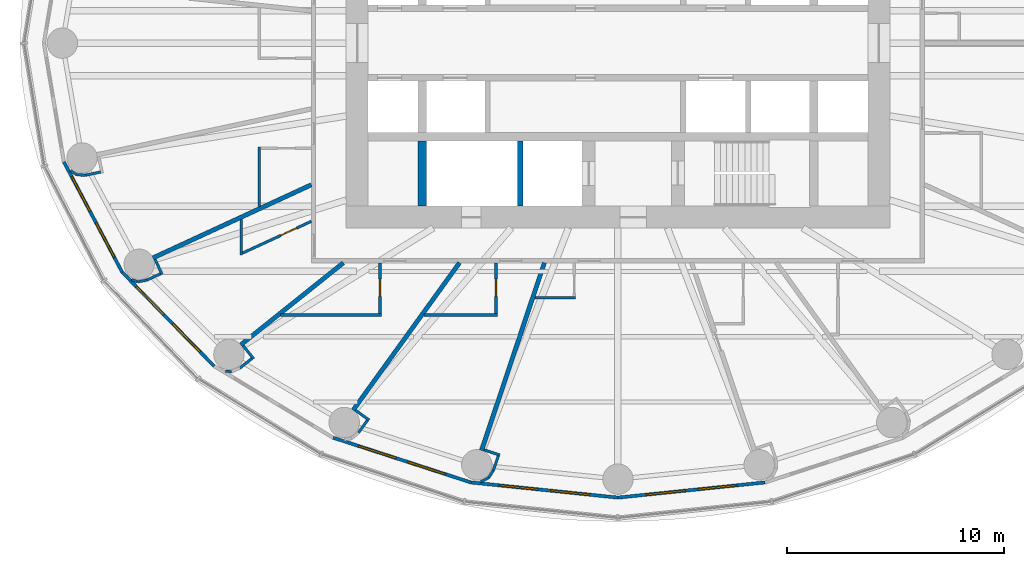
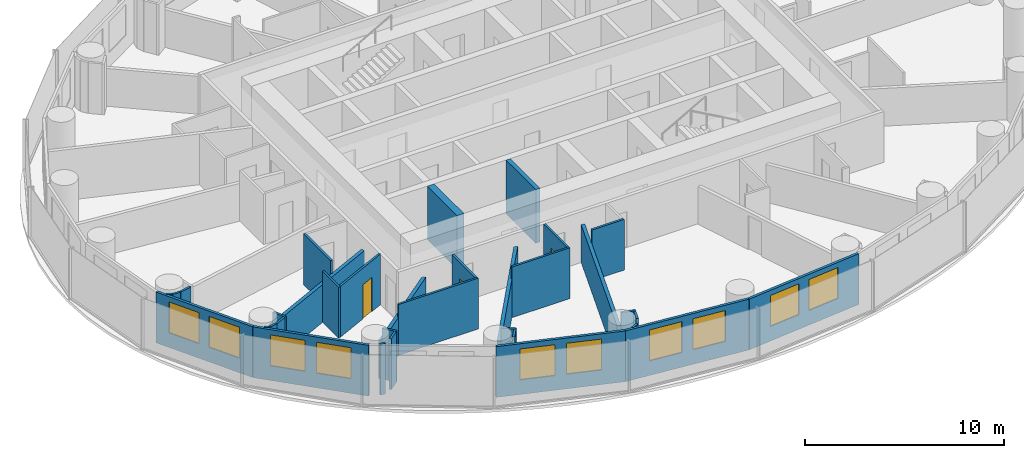
# One storey, part 6 of 13: 35 walls, 10 windows, 3 doors, 13 openings.
"""IFC4 building model written with IfcOpenShell, lengths in metres."""

from ifc_helpers import new_model, si_unit, direction, frame, frame_2d, origin, place, context, subcontext, project, spatial, rectangle, extrude, material, layer, layer_set, type_object, element, fill, save


model = new_model("IFC4")

# Units and contexts
model_context = context("Model", 3, precision=1e-05, world=origin(), true_north=direction((0.0, 1.0)))
body_context = subcontext(model_context, "Body", "Model", "MODEL_VIEW")
ifc_project = project(units=[si_unit("LENGTHUNIT", "METRE"), si_unit("AREAUNIT", "SQUARE_METRE"), si_unit("VOLUMEUNIT", "CUBIC_METRE"), si_unit("PLANEANGLEUNIT", "RADIAN"), si_unit("MASSUNIT", "GRAM", prefix="KILO")], contexts=[model_context])

# Site, building, storey
site_placement = place(None, origin())
site = spatial("IfcSite", under=ifc_project, at=site_placement, CompositionType="ELEMENT")
building_placement = place(site_placement, origin())
building = spatial("IfcBuilding", under=site, at=building_placement, Name="Hankou Lantern Tower", CompositionType="ELEMENT")
storey_placement = place(building_placement, frame((0.0, 0.0, 83.699951171875)))
storey = spatial("IfcBuildingStorey", under=building, at=storey_placement, Name="L21", CompositionType="ELEMENT", Elevation=83.699951171875)

# Wall
ifc_material_1 = material(Name="Concrete C60", Category="concrete")
ifc_layer_1 = layer(ifc_material_1, 0.39990234375)
ifc_layer_set_1 = layer_set([ifc_layer_1], Name="Concrete C60")
wall_type_1 = type_object("IfcWallType", Name="CW4 CORE CROSS WALL 400", PredefinedType="SHEAR", material=ifc_layer_set_1)
wall_1_placement = place(storey_placement, frame((-9.0, -7.5, 0.0), z_axis=(0.0, 0.0, 1.0), x_axis=(0.0, 1.0, 0.0)))
element("IfcWall", 1, at=wall_1_placement, inside=storey, type_object=wall_type_1, Name="Core strip wall L21", PredefinedType="SHEAR", context=body_context, shape_type="SweptSolid", body=[
    extrude(rectangle(XDim=3.0, YDim=0.39990234375, at=frame_2d((1.5, 0.0))), origin(), (0.0, 0.0, 1.0), 3.300048828125),
])

# Wall, openings, windows
ifc_material_2 = material(Name="Aluminium spandrel panel on steel studs", Category="steel")
ifc_layer_2 = layer(ifc_material_2, 0.14990234375)
ifc_layer_set_2 = layer_set([ifc_layer_2], Name="Aluminium spandrel panel on steel studs")
wall_type_2 = type_object("IfcWallType", Name="EW1 INNER SKIN WALL 150", PredefinedType="ELEMENTEDWALL", material=ifc_layer_set_2)
wall_2_placement = place(storey_placement, frame((-25.482421875, -5.46240234375, 0.0), z_axis=(0.0, 0.0, 1.0), x_axis=(0.467296867008, -0.884100468321, 0.0)))
wall_2 = element("IfcWall", 2, at=wall_2_placement, inside=storey, type_object=wall_type_2, Name="Inner skin R14-R15 L21", PredefinedType="ELEMENTEDWALL", context=body_context, shape_type="SweptSolid", body=[
    extrude(rectangle(XDim=5.734375, YDim=0.14990234375, at=frame_2d((2.8671875, 0.0))), origin(), (0.0, 0.0, 1.0), 3.1201171875),
])
opening_1_placement = place(wall_2_placement, frame((0.76708984375, 0.0, 0.89990234375)))
opening_1 = element("IfcOpeningElement", 3, at=opening_1_placement, cuts=wall_2, Name="Opening W1", PredefinedType="OPENING", context=body_context, shape_type="SweptSolid", body=[
    extrude(rectangle(XDim=1.800048828125, YDim=1.89990234375, at=frame_2d((0.89990234375, 0.949951171875))), frame((0.0, 0.0849609375, 0.0), z_axis=(0.0, -1.0, 0.0), x_axis=(1.0, 0.0, 0.0)), (0.0, 0.0, 1.0), 0.169921875),
])
opening_2_placement = place(wall_2_placement, frame((3.167236328125, 0.0, 0.89990234375)))
opening_2 = element("IfcOpeningElement", 4, at=opening_2_placement, cuts=wall_2, Name="Opening W1", PredefinedType="OPENING", context=body_context, shape_type="SweptSolid", body=[
    extrude(rectangle(XDim=1.800048828125, YDim=1.89990234375, at=frame_2d((0.89990234375, 0.949951171875))), frame((0.0, 0.0849609375, 0.0), z_axis=(0.0, -1.0, 0.0), x_axis=(1.0, 0.0, 0.0)), (0.0, 0.0, 1.0), 0.169921875),
])
ifc_material_3 = material(Name="Aluminium framed double glazed window", Category="aluminium")
window_type = type_object("IfcWindowType", Name="W1 GUEST ROOM WINDOW 1800X1900", PartitioningType="DOUBLE_PANEL_VERTICAL", PredefinedType="WINDOW", material=ifc_material_3)
window_1_placement = place(opening_1_placement, origin())
window_1 = element("IfcWindow", 5, at=window_1_placement, inside=storey, type_object=window_type, Name="Window R14.1 L21", OverallHeight=1.89990234375, OverallWidth=1.800048828125, PartitioningType="SINGLE_PANEL", PredefinedType="WINDOW", context=body_context, shape_type="SweptSolid", body=[
    extrude(rectangle(XDim=1.800048828125, YDim=1.89990234375, at=frame_2d((0.89990234375, 0.949951171875))), frame((0.0, 0.030029296875, 0.0), z_axis=(0.0, -1.0, 0.0), x_axis=(1.0, 0.0, 0.0)), (0.0, 0.0, 1.0), 0.06005859375),
])
fill(opening_1, window_1)
window_2_placement = place(opening_2_placement, origin())
window_2 = element("IfcWindow", 6, at=window_2_placement, inside=storey, type_object=window_type, Name="Window R14.2 L21", OverallHeight=1.89990234375, OverallWidth=1.800048828125, PartitioningType="SINGLE_PANEL", PredefinedType="WINDOW", context=body_context, shape_type="SweptSolid", body=[
    extrude(rectangle(XDim=1.800048828125, YDim=1.89990234375, at=frame_2d((0.89990234375, 0.949951171875))), frame((0.0, 0.030029296875, 0.0), z_axis=(0.0, -1.0, 0.0), x_axis=(1.0, 0.0, 0.0)), (0.0, 0.0, 1.0), 0.06005859375),
])
fill(opening_2, window_2)

wall_3_placement = place(storey_placement, frame((-22.802734375, -10.5322265625, 0.0), z_axis=(0.0, 0.0, 1.0), x_axis=(0.699602905915, -0.714531856557, 0.0)))
wall_3 = element("IfcWall", 7, at=wall_3_placement, inside=storey, type_object=wall_type_2, Name="Inner skin R15-R16 L21", PredefinedType="ELEMENTEDWALL", context=body_context, shape_type="SweptSolid", body=[
    extrude(rectangle(XDim=6.05078125, YDim=0.14990234375, at=frame_2d((3.025390625, 0.0))), origin(), (0.0, 0.0, 1.0), 3.1201171875),
])
opening_3_placement = place(wall_3_placement, frame((0.925537109375, 0.0, 0.89990234375)))
opening_3 = element("IfcOpeningElement", 8, at=opening_3_placement, cuts=wall_3, Name="Opening W1", PredefinedType="OPENING", context=body_context, shape_type="SweptSolid", body=[
    extrude(rectangle(XDim=1.800048828125, YDim=1.89990234375, at=frame_2d((0.89990234375, 0.949951171875))), frame((0.0, 0.0849609375, 0.0), z_axis=(0.0, -1.0, 0.0), x_axis=(1.0, 0.0, 0.0)), (0.0, 0.0, 1.0), 0.169921875),
])
opening_4_placement = place(wall_3_placement, frame((3.325439453125, 0.0, 0.89990234375)))
opening_4 = element("IfcOpeningElement", 9, at=opening_4_placement, cuts=wall_3, Name="Opening W1", PredefinedType="OPENING", context=body_context, shape_type="SweptSolid", body=[
    extrude(rectangle(XDim=1.800048828125, YDim=1.89990234375, at=frame_2d((0.89990234375, 0.949951171875))), frame((0.0, 0.0849609375, 0.0), z_axis=(0.0, -1.0, 0.0), x_axis=(1.0, 0.0, 0.0)), (0.0, 0.0, 1.0), 0.169921875),
])
window_3_placement = place(opening_3_placement, origin())
window_3 = element("IfcWindow", 10, at=window_3_placement, inside=storey, type_object=window_type, Name="Window R15.1 L21", OverallHeight=1.89990234375, OverallWidth=1.800048828125, PartitioningType="SINGLE_PANEL", PredefinedType="WINDOW", context=body_context, shape_type="SweptSolid", body=[
    extrude(rectangle(XDim=1.800048828125, YDim=1.89990234375, at=frame_2d((0.89990234375, 0.949951171875))), frame((0.0, 0.030029296875, 0.0), z_axis=(0.0, -1.0, 0.0), x_axis=(1.0, 0.0, 0.0)), (0.0, 0.0, 1.0), 0.06005859375),
])
fill(opening_3, window_3)
window_4_placement = place(opening_4_placement, origin())
window_4 = element("IfcWindow", 11, at=window_4_placement, inside=storey, type_object=window_type, Name="Window R15.2 L21", OverallHeight=1.89990234375, OverallWidth=1.800048828125, PartitioningType="SINGLE_PANEL", PredefinedType="WINDOW", context=body_context, shape_type="SweptSolid", body=[
    extrude(rectangle(XDim=1.800048828125, YDim=1.89990234375, at=frame_2d((0.89990234375, 0.949951171875))), frame((0.0, 0.030029296875, 0.0), z_axis=(0.0, -1.0, 0.0), x_axis=(1.0, 0.0, 0.0)), (0.0, 0.0, 1.0), 0.06005859375),
])
fill(opening_4, window_4)

wall_4_placement = place(storey_placement, frame((-13.096435546875, -18.14697265625, 0.0), z_axis=(0.0, 0.0, 1.0), x_axis=(0.951137534625, -0.308767534285, 0.0)))
wall_4 = element("IfcWall", 12, at=wall_4_placement, inside=storey, type_object=wall_type_2, Name="Inner skin R17-R18 L21", PredefinedType="ELEMENTEDWALL", context=body_context, shape_type="SweptSolid", body=[
    extrude(rectangle(XDim=6.6552734375, YDim=0.14990234375, at=frame_2d((3.32763671875, 0.0))), origin(), (0.0, 0.0, 1.0), 3.1201171875),
])
opening_5_placement = place(wall_4_placement, frame((1.2275390625, 0.0, 0.89990234375)))
opening_5 = element("IfcOpeningElement", 13, at=opening_5_placement, cuts=wall_4, Name="Opening W1", PredefinedType="OPENING", context=body_context, shape_type="SweptSolid", body=[
    extrude(rectangle(XDim=1.800048828125, YDim=1.89990234375, at=frame_2d((0.89990234375, 0.949951171875))), frame((0.0, 0.0849609375, 0.0), z_axis=(0.0, -1.0, 0.0), x_axis=(1.0, 0.0, 0.0)), (0.0, 0.0, 1.0), 0.169921875),
])
opening_6_placement = place(wall_4_placement, frame((3.627685546875, 0.0, 0.89990234375)))
opening_6 = element("IfcOpeningElement", 14, at=opening_6_placement, cuts=wall_4, Name="Opening W1", PredefinedType="OPENING", context=body_context, shape_type="SweptSolid", body=[
    extrude(rectangle(XDim=1.800048828125, YDim=1.89990234375, at=frame_2d((0.89990234375, 0.949951171875))), frame((0.0, 0.0849609375, 0.0), z_axis=(0.0, -1.0, 0.0), x_axis=(1.0, 0.0, 0.0)), (0.0, 0.0, 1.0), 0.169921875),
])
window_5_placement = place(opening_5_placement, origin())
window_5 = element("IfcWindow", 15, at=window_5_placement, inside=storey, type_object=window_type, Name="Window R17.1 L21", OverallHeight=1.89990234375, OverallWidth=1.800048828125, PartitioningType="SINGLE_PANEL", PredefinedType="WINDOW", context=body_context, shape_type="SweptSolid", body=[
    extrude(rectangle(XDim=1.800048828125, YDim=1.89990234375, at=frame_2d((0.89990234375, 0.949951171875))), frame((0.0, 0.030029296875, 0.0), z_axis=(0.0, -1.0, 0.0), x_axis=(1.0, 0.0, 0.0)), (0.0, 0.0, 1.0), 0.06005859375),
])
fill(opening_5, window_5)
window_6_placement = place(opening_6_placement, origin())
window_6 = element("IfcWindow", 16, at=window_6_placement, inside=storey, type_object=window_type, Name="Window R17.2 L21", OverallHeight=1.89990234375, OverallWidth=1.800048828125, PartitioningType="SINGLE_PANEL", PredefinedType="WINDOW", context=body_context, shape_type="SweptSolid", body=[
    extrude(rectangle(XDim=1.800048828125, YDim=1.89990234375, at=frame_2d((0.89990234375, 0.949951171875))), frame((0.0, 0.030029296875, 0.0), z_axis=(0.0, -1.0, 0.0), x_axis=(1.0, 0.0, 0.0)), (0.0, 0.0, 1.0), 0.06005859375),
])
fill(opening_6, window_6)

wall_5_placement = place(storey_placement, frame((-6.766357421875, -20.201904296875, 0.0), z_axis=(0.0, 0.0, 1.0), x_axis=(0.994721394369, -0.102612609291, 0.0)))
wall_5 = element("IfcWall", 17, at=wall_5_placement, inside=storey, type_object=wall_type_2, Name="Inner skin R18-R19 L21", PredefinedType="ELEMENTEDWALL", context=body_context, shape_type="SweptSolid", body=[
    extrude(rectangle(XDim=6.80224609375, YDim=0.14990234375, at=frame_2d((3.401123046875, 0.0))), origin(), (0.0, 0.0, 1.0), 3.1201171875),
])
opening_7_placement = place(wall_5_placement, frame((1.301025390625, 0.0, 0.89990234375)))
opening_7 = element("IfcOpeningElement", 18, at=opening_7_placement, cuts=wall_5, Name="Opening W1", PredefinedType="OPENING", context=body_context, shape_type="SweptSolid", body=[
    extrude(rectangle(XDim=1.800048828125, YDim=1.89990234375, at=frame_2d((0.89990234375, 0.949951171875))), frame((0.0, 0.0849609375, 0.0), z_axis=(0.0, -1.0, 0.0), x_axis=(1.0, 0.0, 0.0)), (0.0, 0.0, 1.0), 0.169921875),
])
opening_8_placement = place(wall_5_placement, frame((3.701171875, 0.0, 0.89990234375)))
opening_8 = element("IfcOpeningElement", 19, at=opening_8_placement, cuts=wall_5, Name="Opening W1", PredefinedType="OPENING", context=body_context, shape_type="SweptSolid", body=[
    extrude(rectangle(XDim=1.800048828125, YDim=1.89990234375, at=frame_2d((0.89990234375, 0.949951171875))), frame((0.0, 0.0849609375, 0.0), z_axis=(0.0, -1.0, 0.0), x_axis=(1.0, 0.0, 0.0)), (0.0, 0.0, 1.0), 0.169921875),
])
window_7_placement = place(opening_7_placement, origin())
window_7 = element("IfcWindow", 20, at=window_7_placement, inside=storey, type_object=window_type, Name="Window R18.1 L21", OverallHeight=1.89990234375, OverallWidth=1.800048828125, PartitioningType="SINGLE_PANEL", PredefinedType="WINDOW", context=body_context, shape_type="SweptSolid", body=[
    extrude(rectangle(XDim=1.800048828125, YDim=1.89990234375, at=frame_2d((0.89990234375, 0.949951171875))), frame((0.0, 0.030029296875, 0.0), z_axis=(0.0, -1.0, 0.0), x_axis=(1.0, 0.0, 0.0)), (0.0, 0.0, 1.0), 0.06005859375),
])
fill(opening_7, window_7)
window_8_placement = place(opening_8_placement, origin())
window_8 = element("IfcWindow", 21, at=window_8_placement, inside=storey, type_object=window_type, Name="Window R18.2 L21", OverallHeight=1.89990234375, OverallWidth=1.800048828125, PartitioningType="SINGLE_PANEL", PredefinedType="WINDOW", context=body_context, shape_type="SweptSolid", body=[
    extrude(rectangle(XDim=1.800048828125, YDim=1.89990234375, at=frame_2d((0.89990234375, 0.949951171875))), frame((0.0, 0.030029296875, 0.0), z_axis=(0.0, -1.0, 0.0), x_axis=(1.0, 0.0, 0.0)), (0.0, 0.0, 1.0), 0.06005859375),
])
fill(opening_8, window_8)

wall_6_placement = place(storey_placement, frame((0.0, -20.89990234375, 0.0), z_axis=(0.0, 0.0, 1.0), x_axis=(0.994721394369, 0.102612609291, 0.0)))
wall_6 = element("IfcWall", 22, at=wall_6_placement, inside=storey, type_object=wall_type_2, Name="Inner skin R19-R20 L21", PredefinedType="ELEMENTEDWALL", context=body_context, shape_type="SweptSolid", body=[
    extrude(rectangle(XDim=6.80224609375, YDim=0.14990234375, at=frame_2d((3.401123046875, 0.0))), origin(), (0.0, 0.0, 1.0), 3.1201171875),
])
opening_9_placement = place(wall_6_placement, frame((1.301025390625, 0.0, 0.89990234375)))
opening_9 = element("IfcOpeningElement", 23, at=opening_9_placement, cuts=wall_6, Name="Opening W1", PredefinedType="OPENING", context=body_context, shape_type="SweptSolid", body=[
    extrude(rectangle(XDim=1.800048828125, YDim=1.89990234375, at=frame_2d((0.89990234375, 0.949951171875))), frame((0.0, 0.0849609375, 0.0), z_axis=(0.0, -1.0, 0.0), x_axis=(1.0, 0.0, 0.0)), (0.0, 0.0, 1.0), 0.169921875),
])
opening_10_placement = place(wall_6_placement, frame((3.701171875, 0.0, 0.89990234375)))
opening_10 = element("IfcOpeningElement", 24, at=opening_10_placement, cuts=wall_6, Name="Opening W1", PredefinedType="OPENING", context=body_context, shape_type="SweptSolid", body=[
    extrude(rectangle(XDim=1.800048828125, YDim=1.89990234375, at=frame_2d((0.89990234375, 0.949951171875))), frame((0.0, 0.0849609375, 0.0), z_axis=(0.0, -1.0, 0.0), x_axis=(1.0, 0.0, 0.0)), (0.0, 0.0, 1.0), 0.169921875),
])
window_9_placement = place(opening_9_placement, origin())
window_9 = element("IfcWindow", 25, at=window_9_placement, inside=storey, type_object=window_type, Name="Window R19.1 L21", OverallHeight=1.89990234375, OverallWidth=1.800048828125, PartitioningType="SINGLE_PANEL", PredefinedType="WINDOW", context=body_context, shape_type="SweptSolid", body=[
    extrude(rectangle(XDim=1.800048828125, YDim=1.89990234375, at=frame_2d((0.89990234375, 0.949951171875))), frame((0.0, 0.030029296875, 0.0), z_axis=(0.0, -1.0, 0.0), x_axis=(1.0, 0.0, 0.0)), (0.0, 0.0, 1.0), 0.06005859375),
])
fill(opening_9, window_9)
window_10_placement = place(opening_10_placement, origin())
window_10 = element("IfcWindow", 26, at=window_10_placement, inside=storey, type_object=window_type, Name="Window R19.2 L21", OverallHeight=1.89990234375, OverallWidth=1.800048828125, PartitioningType="SINGLE_PANEL", PredefinedType="WINDOW", context=body_context, shape_type="SweptSolid", body=[
    extrude(rectangle(XDim=1.800048828125, YDim=1.89990234375, at=frame_2d((0.89990234375, 0.949951171875))), frame((0.0, 0.030029296875, 0.0), z_axis=(0.0, -1.0, 0.0), x_axis=(1.0, 0.0, 0.0)), (0.0, 0.0, 1.0), 0.06005859375),
])
fill(opening_10, window_10)

# Walls
ifc_material_4 = material(Name="Masonry lightweight concrete block", Category="masonry")
ifc_layer_3 = layer(ifc_material_4, 0.199951171875)
ifc_layer_set_3 = layer_set([ifc_layer_3], Name="Masonry lightweight concrete block")
wall_type_3 = type_object("IfcWallType", Name="IW1 GUEST ROOM PARTY WALL 200", PredefinedType="PARTITIONING", material=ifc_layer_set_3)
wall_7_placement = place(storey_placement, frame((-14.10009765625, -6.512451171875, 0.0), z_axis=(0.0, 0.0, 1.0), x_axis=(-0.907832871056, -0.419332181247, 0.0)))
element("IfcWall", 27, at=wall_7_placement, inside=storey, type_object=wall_type_3, Name="Party wall R15", PredefinedType="PARTITIONING", context=body_context, shape_type="SweptSolid", body=[
    extrude(rectangle(XDim=8.02294921875, YDim=0.199951171875, at=frame_2d((4.011474609375, 0.0))), origin(), (0.0, 0.0, 1.0), 2.320068359375),
])
wall_8_placement = place(storey_placement, frame((-12.625, -10.10009765625, 0.0), z_axis=(0.0, 0.0, 1.0), x_axis=(-0.780892451574, -0.624665493744, 0.0)))
element("IfcWall", 28, at=wall_8_placement, inside=storey, type_object=wall_type_3, Name="Party wall R16", PredefinedType="PARTITIONING", context=body_context, shape_type="SweptSolid", body=[
    extrude(rectangle(XDim=6.044677734375, YDim=0.199951171875, at=frame_2d((3.0224609375, 0.0))), origin(), (0.0, 0.0, 1.0), 2.320068359375),
])
wall_9_placement = place(storey_placement, frame((-7.2890625, -10.10009765625, 0.0), z_axis=(0.0, 0.0, 1.0), x_axis=(-0.585198353053, -0.810890182197, 0.0)))
element("IfcWall", 29, at=wall_9_placement, inside=storey, type_object=wall_type_3, Name="Party wall R17", PredefinedType="PARTITIONING", context=body_context, shape_type="SweptSolid", body=[
    extrude(rectangle(XDim=8.359619140625, YDim=0.199951171875, at=frame_2d((4.1796875, 0.0))), origin(), (0.0, 0.0, 1.0), 2.320068359375),
])
wall_10_placement = place(storey_placement, frame((-3.3828125, -10.10009765625, 0.0), z_axis=(0.0, 0.0, 1.0), x_axis=(-0.31759592231, -0.948226149256, 0.0)))
element("IfcWall", 30, at=wall_10_placement, inside=storey, type_object=wall_type_3, Name="Party wall R18", PredefinedType="PARTITIONING", context=body_context, shape_type="SweptSolid", body=[
    extrude(rectangle(XDim=9.098388671875, YDim=0.199951171875, at=frame_2d((4.54931640625, 0.0))), origin(), (0.0, 0.0, 1.0), 2.320068359375),
])
ifc_material_5 = material(Name="Masonry lightweight concrete block", Category="masonry")
ifc_layer_4 = layer(ifc_material_5, 0.1201171875)
ifc_layer_set_4 = layer_set([ifc_layer_4], Name="Masonry lightweight concrete block")
wall_type_4 = type_object("IfcWallType", Name="IW3 BATHROOM WALL 120", PredefinedType="PARTITIONING", material=ifc_layer_set_4)
wall_11_placement = place(storey_placement, frame((-16.5, -7.52099609375, 0.0), z_axis=(0.0, 0.0, 1.0), x_axis=(0.0, 1.0, 0.0)))
element("IfcWall", 31, at=wall_11_placement, inside=storey, type_object=wall_type_4, Name="Box wall 2103 1", PredefinedType="PARTITIONING", context=body_context, shape_type="SweptSolid", body=[
    extrude(rectangle(XDim=2.74853515625, YDim=0.1201171875, at=frame_2d((1.374267578125, 0.0))), origin(), (0.0, 0.0, 1.0), 3.1201171875),
])
wall_12_placement = place(storey_placement, frame((-17.32275390625, -8.10107421875, 0.0), z_axis=(0.0, 0.0, 1.0), x_axis=(0.0, -1.0, 0.0)))
element("IfcWall", 32, at=wall_12_placement, inside=storey, type_object=wall_type_4, Name="Box wall 2104 1", PredefinedType="PARTITIONING", context=body_context, shape_type="SweptSolid", body=[
    extrude(rectangle(XDim=1.639892578125, YDim=0.1201171875, at=frame_2d((0.81982421875, 0.0))), origin(), (0.0, 0.0, 1.0), 3.1201171875),
])

# Wall, opening, door
wall_13_placement = place(storey_placement, frame((-14.10009765625, -8.192626953125, 0.0), z_axis=(0.0, 0.0, 1.0), x_axis=(-0.907836493557, -0.419324338628, 0.0)))
wall_13 = element("IfcWall", 33, at=wall_13_placement, inside=storey, type_object=wall_type_4, Name="Box wall 2104 1", PredefinedType="PARTITIONING", context=body_context, shape_type="SweptSolid", body=[
    extrude(rectangle(XDim=3.48974609375, YDim=0.1201171875, at=frame_2d((1.744873046875, 0.0))), origin(), (0.0, 0.0, 1.0), 3.1201171875),
])
opening_11_placement = place(wall_13_placement, frame((0.75, 0.0, 0.0)))
opening_11 = element("IfcOpeningElement", 34, at=opening_11_placement, cuts=wall_13, Name="Opening D3", PredefinedType="OPENING", context=body_context, shape_type="SweptSolid", body=[
    extrude(rectangle(XDim=0.800048828125, YDim=2.10009765625, at=frame_2d((0.39990234375, 1.050048828125))), frame((0.0, 0.070068359375, 0.0), z_axis=(0.0, -1.0, 0.0), x_axis=(1.0, 0.0, 0.0)), (0.0, 0.0, 1.0), 0.14013671875),
])
ifc_material_6 = material(Name="Timber door leaf", Category="wood")
door_type = type_object("IfcDoorType", Name="D3 BATHROOM DOOR 800X2100", OperationType="SINGLE_SWING_LEFT", PredefinedType="DOOR", material=ifc_material_6)
door_1_placement = place(opening_11_placement, origin())
door_1 = element("IfcDoor", 35, at=door_1_placement, inside=storey, type_object=door_type, Name="En-suite bathroom 2104 door", OperationType="SINGLE_SWING_LEFT", OverallHeight=2.10009765625, OverallWidth=0.800048828125, PredefinedType="DOOR", context=body_context, shape_type="SweptSolid", body=[
    extrude(rectangle(XDim=0.800048828125, YDim=2.10009765625, at=frame_2d((0.39990234375, 1.050048828125))), frame((0.0, 0.02490234375, 0.0), z_axis=(0.0, -1.0, 0.0), x_axis=(1.0, 0.0, 0.0)), (0.0, 0.0, 1.0), 0.050048828125),
])
fill(opening_11, door_1)

# Wall
wall_14_placement = place(storey_placement, frame((-15.52490234375, -12.5, 0.0), z_axis=(0.0, 0.0, 1.0), x_axis=(1.0, 0.0, 0.0)))
element("IfcWall", 36, at=wall_14_placement, inside=storey, type_object=wall_type_4, Name="Box wall 2105 1", PredefinedType="PARTITIONING", context=body_context, shape_type="SweptSolid", body=[
    extrude(rectangle(XDim=4.639892578125, YDim=0.1201171875, at=frame_2d((2.31982421875, 0.0))), origin(), (0.0, 0.0, 1.0), 3.1201171875),
])

# Wall, opening, door
wall_15_placement = place(storey_placement, frame((-10.945068359375, -10.10009765625, 0.0), z_axis=(0.0, 0.0, 1.0), x_axis=(0.0, -1.0, 0.0)))
wall_15 = element("IfcWall", 37, at=wall_15_placement, inside=storey, type_object=wall_type_4, Name="Box wall 2105 1", PredefinedType="PARTITIONING", context=body_context, shape_type="SweptSolid", body=[
    extrude(rectangle(XDim=2.33984375, YDim=0.1201171875, at=frame_2d((1.169921875, 0.0))), origin(), (0.0, 0.0, 1.0), 3.1201171875),
])
opening_12_placement = place(wall_15_placement, frame((0.75, 0.0, 0.0)))
opening_12 = element("IfcOpeningElement", 38, at=opening_12_placement, cuts=wall_15, Name="Opening D3", PredefinedType="OPENING", context=body_context, shape_type="SweptSolid", body=[
    extrude(rectangle(XDim=0.800048828125, YDim=2.10009765625, at=frame_2d((0.39990234375, 1.050048828125))), frame((0.0, 0.070068359375, 0.0), z_axis=(0.0, -1.0, 0.0), x_axis=(1.0, 0.0, 0.0)), (0.0, 0.0, 1.0), 0.14013671875),
])
door_2_placement = place(opening_12_placement, origin())
door_2 = element("IfcDoor", 39, at=door_2_placement, inside=storey, type_object=door_type, Name="En-suite bathroom 2105 door", OperationType="SINGLE_SWING_LEFT", OverallHeight=2.10009765625, OverallWidth=0.800048828125, PredefinedType="DOOR", context=body_context, shape_type="SweptSolid", body=[
    extrude(rectangle(XDim=0.800048828125, YDim=2.10009765625, at=frame_2d((0.39990234375, 1.050048828125))), frame((0.0, 0.02490234375, 0.0), z_axis=(0.0, -1.0, 0.0), x_axis=(1.0, 0.0, 0.0)), (0.0, 0.0, 1.0), 0.050048828125),
])
fill(opening_12, door_2)

# Wall
wall_16_placement = place(storey_placement, frame((-8.921142578125, -12.5, 0.0), z_axis=(0.0, 0.0, 1.0), x_axis=(1.0, 0.0, 0.0)))
element("IfcWall", 40, at=wall_16_placement, inside=storey, type_object=wall_type_4, Name="Box wall 2106 1", PredefinedType="PARTITIONING", context=body_context, shape_type="SweptSolid", body=[
    extrude(rectangle(XDim=3.3720703125, YDim=0.1201171875, at=frame_2d((1.68603515625, 0.0))), origin(), (0.0, 0.0, 1.0), 3.1201171875),
])

# Wall, opening, door
wall_17_placement = place(storey_placement, frame((-5.609130859375, -10.10009765625, 0.0), z_axis=(0.0, 0.0, 1.0), x_axis=(0.0, -1.0, 0.0)))
wall_17 = element("IfcWall", 41, at=wall_17_placement, inside=storey, type_object=wall_type_4, Name="Box wall 2106 1", PredefinedType="PARTITIONING", context=body_context, shape_type="SweptSolid", body=[
    extrude(rectangle(XDim=2.33984375, YDim=0.1201171875, at=frame_2d((1.169921875, 0.0))), origin(), (0.0, 0.0, 1.0), 3.1201171875),
])
opening_13_placement = place(wall_17_placement, frame((0.75, 0.0, 0.0)))
opening_13 = element("IfcOpeningElement", 42, at=opening_13_placement, cuts=wall_17, Name="Opening D3", PredefinedType="OPENING", context=body_context, shape_type="SweptSolid", body=[
    extrude(rectangle(XDim=0.800048828125, YDim=2.10009765625, at=frame_2d((0.39990234375, 1.050048828125))), frame((0.0, 0.070068359375, 0.0), z_axis=(0.0, -1.0, 0.0), x_axis=(1.0, 0.0, 0.0)), (0.0, 0.0, 1.0), 0.14013671875),
])
door_3_placement = place(opening_13_placement, origin())
door_3 = element("IfcDoor", 43, at=door_3_placement, inside=storey, type_object=door_type, Name="En-suite bathroom 2106 door", OperationType="SINGLE_SWING_LEFT", OverallHeight=2.10009765625, OverallWidth=0.800048828125, PredefinedType="DOOR", context=body_context, shape_type="SweptSolid", body=[
    extrude(rectangle(XDim=0.800048828125, YDim=2.10009765625, at=frame_2d((0.39990234375, 1.050048828125))), frame((0.0, 0.02490234375, 0.0), z_axis=(0.0, -1.0, 0.0), x_axis=(1.0, 0.0, 0.0)), (0.0, 0.0, 1.0), 0.050048828125),
])
fill(opening_13, door_3)

# Walls
wall_18_placement = place(storey_placement, frame((-3.81884765625, -11.699951171875, 0.0), z_axis=(0.0, 0.0, 1.0), x_axis=(1.0, 0.0, 0.0)))
element("IfcWall", 44, at=wall_18_placement, inside=storey, type_object=wall_type_4, Name="Box wall 2107C 1", PredefinedType="PARTITIONING", context=body_context, shape_type="SweptSolid", body=[
    extrude(rectangle(XDim=1.8759765625, YDim=0.1201171875, at=frame_2d((0.93798828125, 0.0))), origin(), (0.0, 0.0, 1.0), 3.1201171875),
])
ifc_material_7 = material(Name="Masonry lightweight concrete block", Category="masonry")
ifc_layer_5 = layer(ifc_material_7, 0.1201171875)
ifc_layer_set_5 = layer_set([ifc_layer_5], Name="Masonry lightweight concrete block")
wall_type_5 = type_object("IfcWallType", Name="IW4 PARTITION 120", PredefinedType="PARTITIONING", material=ifc_layer_set_5)
wall_19_placement = place(storey_placement, frame((-23.793212890625, -5.92626953125, 0.0), z_axis=(0.0, 0.0, 1.0), x_axis=(-0.977792206673, -0.209576717621, 0.0)))
element("IfcWall", 45, at=wall_19_placement, inside=storey, type_object=wall_type_5, Name="Column casing R14", PredefinedType="PARTITIONING", context=body_context, shape_type="SweptSolid", body=[
    extrude(rectangle(XDim=0.7001953125, YDim=0.1201171875, at=frame_2d((0.35009765625, 0.0))), origin(), (0.0, 0.0, 1.0), 3.1201171875),
])
wall_20_placement = place(storey_placement, frame((-24.477783203125, -6.072998046875, 0.0), z_axis=(0.0, 0.0, 1.0), x_axis=(-0.998708262812, 0.05081147302, 0.0)))
element("IfcWall", 46, at=wall_20_placement, inside=storey, type_object=wall_type_5, Name="Column casing R14", PredefinedType="PARTITIONING", context=body_context, shape_type="SweptSolid", body=[
    extrude(rectangle(XDim=0.41796875, YDim=0.1201171875, at=frame_2d((0.208984375, 0.0))), origin(), (0.0, 0.0, 1.0), 3.1201171875),
])
wall_21_placement = place(storey_placement, frame((-24.895263671875, -6.0517578125, 0.0), z_axis=(0.0, 0.0, 1.0), x_axis=(-0.839495197275, 0.54336710772, 0.0)))
element("IfcWall", 47, at=wall_21_placement, inside=storey, type_object=wall_type_5, Name="Column casing R14", PredefinedType="PARTITIONING", context=body_context, shape_type="SweptSolid", body=[
    extrude(rectangle(XDim=0.349609375, YDim=0.1201171875, at=frame_2d((0.1748046875, 0.0))), origin(), (0.0, 0.0, 1.0), 3.1201171875),
])
wall_22_placement = place(storey_placement, frame((-21.287109375, -9.9423828125, 0.0), z_axis=(0.0, 0.0, 1.0), x_axis=(0.419259891039, -0.907866258744, 0.0)))
element("IfcWall", 48, at=wall_22_placement, inside=storey, type_object=wall_type_5, Name="Column casing R15 return", PredefinedType="PARTITIONING", context=body_context, shape_type="SweptSolid", body=[
    extrude(rectangle(XDim=0.767578125, YDim=0.1201171875, at=frame_2d((0.3837890625, 0.0))), origin(), (0.0, 0.0, 1.0), 3.1201171875),
])
wall_23_placement = place(storey_placement, frame((-21.044921875, -10.60986328125, 0.0), z_axis=(0.0, 0.0, 1.0), x_axis=(-0.907877701396, -0.419235112208, 0.0)))
element("IfcWall", 49, at=wall_23_placement, inside=storey, type_object=wall_type_5, Name="Column casing R15", PredefinedType="PARTITIONING", context=body_context, shape_type="SweptSolid", body=[
    extrude(rectangle(XDim=0.699951171875, YDim=0.1201171875, at=frame_2d((0.35009765625, 0.0))), origin(), (0.0, 0.0, 1.0), 3.1201171875),
])
wall_24_placement = place(storey_placement, frame((-21.680419921875, -10.9033203125, 0.0), z_axis=(0.0, 0.0, 1.0), x_axis=(-0.985446622073, -0.169985161247, 0.0)))
element("IfcWall", 50, at=wall_24_placement, inside=storey, type_object=wall_type_5, Name="Column casing R15", PredefinedType="PARTITIONING", context=body_context, shape_type="SweptSolid", body=[
    extrude(rectangle(XDim=0.41796875, YDim=0.1201171875, at=frame_2d((0.208984375, 0.0))), origin(), (0.0, 0.0, 1.0), 3.1201171875),
])
wall_25_placement = place(storey_placement, frame((-22.09228515625, -10.974365234375, 0.0), z_axis=(0.0, 0.0, 1.0), x_axis=(-0.938428160676, 0.345474437912, 0.0)))
element("IfcWall", 51, at=wall_25_placement, inside=storey, type_object=wall_type_5, Name="Column casing R15", PredefinedType="PARTITIONING", context=body_context, shape_type="SweptSolid", body=[
    extrude(rectangle(XDim=0.2939453125, YDim=0.1201171875, at=frame_2d((0.14697265625, 0.0))), origin(), (0.0, 0.0, 1.0), 3.1201171875),
])
wall_26_placement = place(storey_placement, frame((-17.23583984375, -13.916748046875, 0.0), z_axis=(0.0, 0.0, 1.0), x_axis=(0.624695047554, -0.780868809443, 0.0)))
element("IfcWall", 52, at=wall_26_placement, inside=storey, type_object=wall_type_5, Name="Column casing R16 return", PredefinedType="PARTITIONING", context=body_context, shape_type="SweptSolid", body=[
    extrude(rectangle(XDim=0.767578125, YDim=0.1201171875, at=frame_2d((0.3837890625, 0.0))), origin(), (0.0, 0.0, 1.0), 3.1201171875),
])
wall_27_placement = place(storey_placement, frame((-16.840576171875, -14.506591796875, 0.0), z_axis=(0.0, 0.0, 1.0), x_axis=(-0.780902834923, -0.62465251333, 0.0)))
element("IfcWall", 53, at=wall_27_placement, inside=storey, type_object=wall_type_5, Name="Column casing R16", PredefinedType="PARTITIONING", context=body_context, shape_type="SweptSolid", body=[
    extrude(rectangle(XDim=0.699951171875, YDim=0.1201171875, at=frame_2d((0.35009765625, 0.0))), origin(), (0.0, 0.0, 1.0), 3.1201171875),
])
wall_28_placement = place(storey_placement, frame((-17.770263671875, -15.111572265625, 0.0), z_axis=(0.0, 0.0, 1.0), x_axis=(-0.993904401174, 0.110245368731, 0.0)))
element("IfcWall", 54, at=wall_28_placement, inside=storey, type_object=wall_type_5, Name="Column casing R16", PredefinedType="PARTITIONING", context=body_context, shape_type="SweptSolid", body=[
    extrude(rectangle(XDim=0.287841796875, YDim=0.1201171875, at=frame_2d((0.14404296875, 0.0))), origin(), (0.0, 0.0, 1.0), 3.1201171875),
])
wall_29_placement = place(storey_placement, frame((-12.06494140625, -16.888671875, 0.0), z_axis=(0.0, 0.0, 1.0), x_axis=(0.810821798253, -0.585293098778, 0.0)))
element("IfcWall", 55, at=wall_29_placement, inside=storey, type_object=wall_type_5, Name="Column casing R17 return", PredefinedType="PARTITIONING", context=body_context, shape_type="SweptSolid", body=[
    extrude(rectangle(XDim=0.767578125, YDim=0.1201171875, at=frame_2d((0.3837890625, 0.0))), origin(), (0.0, 0.0, 1.0), 3.1201171875),
])
wall_30_placement = place(storey_placement, frame((-11.5263671875, -17.351318359375, 0.0), z_axis=(0.0, 0.0, 1.0), x_axis=(-0.585223113993, -0.810872312296, 0.0)))
element("IfcWall", 56, at=wall_30_placement, inside=storey, type_object=wall_type_5, Name="Column casing R17", PredefinedType="PARTITIONING", context=body_context, shape_type="SweptSolid", body=[
    extrude(rectangle(XDim=0.699951171875, YDim=0.1201171875, at=frame_2d((0.35009765625, 0.0))), origin(), (0.0, 0.0, 1.0), 3.1201171875),
])
wall_31_placement = place(storey_placement, frame((-6.15869140625, -18.702392578125, 0.0), z_axis=(0.0, 0.0, 1.0), x_axis=(0.948173154049, -0.31775410295, 0.0)))
element("IfcWall", 57, at=wall_31_placement, inside=storey, type_object=wall_type_5, Name="Column casing R18 return", PredefinedType="PARTITIONING", context=body_context, shape_type="SweptSolid", body=[
    extrude(rectangle(XDim=0.767578125, YDim=0.1201171875, at=frame_2d((0.3837890625, 0.0))), origin(), (0.0, 0.0, 1.0), 3.1201171875),
])
wall_32_placement = place(storey_placement, frame((-5.5068359375, -18.984130859375, 0.0), z_axis=(0.0, 0.0, 1.0), x_axis=(-0.317692050622, -0.948193946918, 0.0)))
element("IfcWall", 58, at=wall_32_placement, inside=storey, type_object=wall_type_5, Name="Column casing R18", PredefinedType="PARTITIONING", context=body_context, shape_type="SweptSolid", body=[
    extrude(rectangle(XDim=0.7001953125, YDim=0.1201171875, at=frame_2d((0.35009765625, 0.0))), origin(), (0.0, 0.0, 1.0), 3.1201171875),
])
wall_33_placement = place(storey_placement, frame((-5.729248046875, -19.64794921875, 0.0), z_axis=(0.0, 0.0, 1.0), x_axis=(-0.552135764955, -0.833754218615, 0.0)))
element("IfcWall", 59, at=wall_33_placement, inside=storey, type_object=wall_type_5, Name="Column casing R18", PredefinedType="PARTITIONING", context=body_context, shape_type="SweptSolid", body=[
    extrude(rectangle(XDim=0.41796875, YDim=0.1201171875, at=frame_2d((0.208984375, 0.0))), origin(), (0.0, 0.0, 1.0), 3.1201171875),
])
wall_34_placement = place(storey_placement, frame((-5.9599609375, -19.996337890625, 0.0), z_axis=(0.0, 0.0, 1.0), x_axis=(-0.895160725913, -0.445743507842, 0.0)))
element("IfcWall", 60, at=wall_34_placement, inside=storey, type_object=wall_type_5, Name="Column casing R18", PredefinedType="PARTITIONING", context=body_context, shape_type="SweptSolid", body=[
    extrude(rectangle(XDim=0.398681640625, YDim=0.1201171875, at=frame_2d((0.19921875, 0.0))), origin(), (0.0, 0.0, 1.0), 3.1201171875),
])
ifc_material_8 = material(Name="Masonry autoclaved aerated concrete block", Category="masonry")
ifc_layer_6 = layer(ifc_material_8, 0.25)
ifc_layer_set_6 = layer_set([ifc_layer_6], Name="Masonry autoclaved aerated concrete block")
wall_type_6 = type_object("IfcWallType", Name="SW1 SHAFT BLOCK WALL 250", PredefinedType="PARTITIONING", material=ifc_layer_set_6)
wall_35_placement = place(storey_placement, frame((-4.5, -7.5, 0.0), z_axis=(0.0, 0.0, 1.0), x_axis=(0.0, 1.0, 0.0)))
element("IfcWall", 61, at=wall_35_placement, inside=storey, type_object=wall_type_6, Name="Riser wall L21", PredefinedType="PARTITIONING", context=body_context, shape_type="SweptSolid", body=[
    extrude(rectangle(XDim=3.0, YDim=0.25, at=frame_2d((1.5, 0.0))), origin(), (0.0, 0.0, 1.0), 3.300048828125),
])

save(model, "model.ifc")
